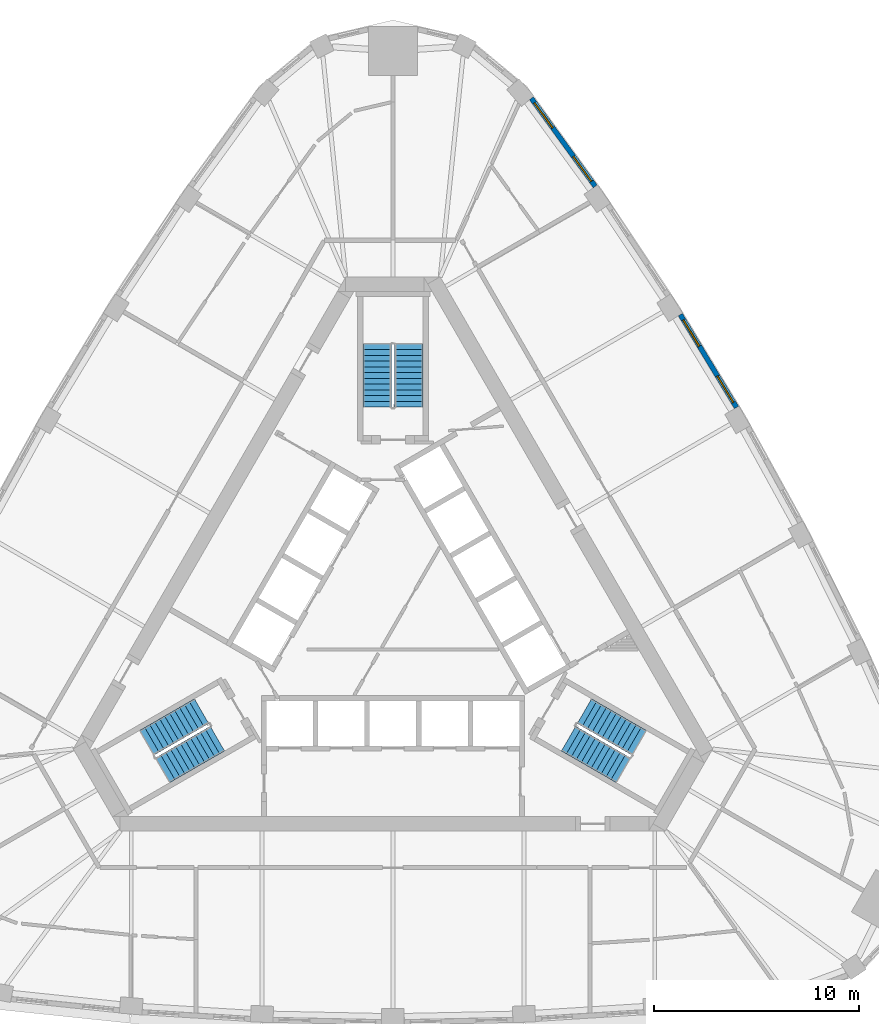
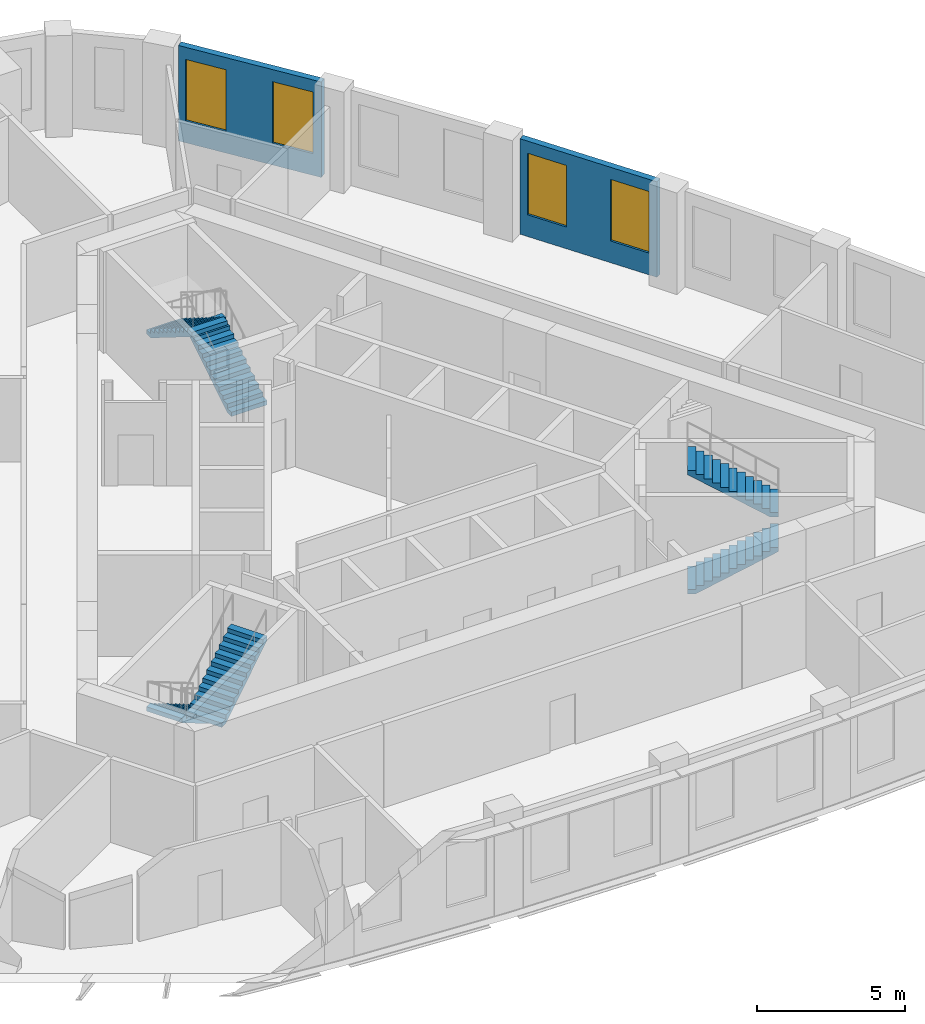
# One storey, part 9 of 10: 6 stair flights, 4 windows, 2 walls, 4 openings, 3 elements without a shape of their own.
"""IFC4 building model written with IfcOpenShell, lengths in metres."""

from ifc_helpers import new_model, si_unit, direction, frame, frame_2d, origin, place, context, subcontext, project, spatial, polyline, rectangle, outline, extrude, material, layer, layer_set, type_object, element, fill, aggregate, save


model = new_model("IFC4")

# Units and contexts
model_context = context("Model", 3, precision=1e-05, world=origin(), true_north=direction((0.0, 1.0)))
body_context = subcontext(model_context, "Body", "Model", "MODEL_VIEW")
ifc_project = project(units=[si_unit("LENGTHUNIT", "METRE"), si_unit("AREAUNIT", "SQUARE_METRE"), si_unit("VOLUMEUNIT", "CUBIC_METRE"), si_unit("PLANEANGLEUNIT", "RADIAN"), si_unit("MASSUNIT", "GRAM", prefix="KILO")], contexts=[model_context])

# Site, building, storey
site_placement = place(None, origin())
site = spatial("IfcSite", under=ifc_project, at=site_placement, CompositionType="ELEMENT")
building_placement = place(site_placement, origin())
building = spatial("IfcBuilding", under=site, at=building_placement, Name="Mestral Congress Tower", CompositionType="ELEMENT")
storey_placement = place(building_placement, frame((0.0, 0.0, 243.60009765625)))
storey = spatial("IfcBuildingStorey", under=building, at=storey_placement, Name="L57", CompositionType="ELEMENT", Elevation=243.60009765625)

# Wall, openings, windows
ifc_material_1 = material(Name="Precast concrete C40/50 with limestone facing", Category="masonry")
ifc_layer = layer(ifc_material_1, 0.239990234375)
ifc_layer_set = layer_set([ifc_layer], Name="Precast concrete C40/50 with limestone facing")
wall_type = type_object("IfcWallType", Name="Facade stone wall 240", PredefinedType="SOLIDWALL", material=ifc_layer_set)
wall_1_placement = place(storey_placement, frame((16.78173828125, 10.331298828125, 0.0), z_axis=(0.0, 0.0, 1.0), x_axis=(-0.517846166225, 0.855473756538, 0.0)))
wall_1 = element("IfcWall", 1, at=wall_1_placement, inside=storey, type_object=wall_type, Name="Facade wall F1-03", PredefinedType="SOLIDWALL", context=body_context, shape_type="SweptSolid", body=[
    extrude(rectangle(XDim=5.298095703125, YDim=0.239990234375, at=frame_2d((2.64892578125, 0.0))), origin(), (0.0, 0.0, 1.0), 3.949951171875),
])
opening_1_placement = place(wall_1_placement, frame((0.29443359375, 0.0, 0.89990234375)))
opening_1 = element("IfcOpeningElement", 2, at=opening_1_placement, cuts=wall_1, Name="Opening W4", PredefinedType="OPENING", context=body_context, shape_type="SweptSolid", body=[
    extrude(rectangle(XDim=1.5, YDim=2.550048828125, at=frame_2d((0.75, 1.27490234375))), frame((0.0, 0.1298828125, 0.0), z_axis=(0.0, -1.0, 0.0), x_axis=(1.0, 0.0, 0.0)), (0.0, 0.0, 1.0), 0.260009765625),
])
opening_2_placement = place(wall_1_placement, frame((3.503662109375, 0.0, 0.89990234375)))
opening_2 = element("IfcOpeningElement", 3, at=opening_2_placement, cuts=wall_1, Name="Opening W4", PredefinedType="OPENING", context=body_context, shape_type="SweptSolid", body=[
    extrude(rectangle(XDim=1.5, YDim=2.550048828125, at=frame_2d((0.75, 1.27490234375))), frame((0.0, 0.1298828125, 0.0), z_axis=(0.0, -1.0, 0.0), x_axis=(1.0, 0.0, 0.0)), (0.0, 0.0, 1.0), 0.260009765625),
])
ifc_material_2 = material(Name="Clear low-emissivity double glazing", Category="glass")
window_type = type_object("IfcWindowType", Name="Facade punched window 1500 x 2550 sill 900", PartitioningType="SINGLE_PANEL", PredefinedType="WINDOW", material=ifc_material_2)
window_1_placement = place(opening_1_placement, origin())
window_1 = element("IfcWindow", 4, at=window_1_placement, inside=storey, type_object=window_type, Name="Window F1-03a", OverallHeight=2.550048828125, OverallWidth=1.5, PartitioningType="SINGLE_PANEL", PredefinedType="WINDOW", context=body_context, shape_type="SweptSolid", body=[
    extrude(rectangle(XDim=1.5, YDim=2.550048828125, at=frame_2d((0.75, 1.27490234375))), frame((0.0, 0.0400390625, 0.0), z_axis=(0.0, -1.0, 0.0), x_axis=(1.0, 0.0, 0.0)), (0.0, 0.0, 1.0), 0.06005859375),
])
fill(opening_1, window_1)
window_2_placement = place(opening_2_placement, origin())
window_2 = element("IfcWindow", 5, at=window_2_placement, inside=storey, type_object=window_type, Name="Window F1-03b", OverallHeight=2.550048828125, OverallWidth=1.5, PartitioningType="SINGLE_PANEL", PredefinedType="WINDOW", context=body_context, shape_type="SweptSolid", body=[
    extrude(rectangle(XDim=1.5, YDim=2.550048828125, at=frame_2d((0.75, 1.27490234375))), frame((0.0, 0.0400390625, 0.0), z_axis=(0.0, -1.0, 0.0), x_axis=(1.0, 0.0, 0.0)), (0.0, 0.0, 1.0), 0.06005859375),
])
fill(opening_2, window_2)

wall_2_placement = place(storey_placement, frame((9.87841796875, 21.13232421875, 0.0), z_axis=(0.0, 0.0, 1.0), x_axis=(-0.586998456641, 0.80958805074, 0.0)))
wall_2 = element("IfcWall", 6, at=wall_2_placement, inside=storey, type_object=wall_type, Name="Facade wall F1-05", PredefinedType="SOLIDWALL", context=body_context, shape_type="SweptSolid", body=[
    extrude(rectangle(XDim=5.310791015625, YDim=0.239990234375, at=frame_2d((2.6552734375, 0.0))), origin(), (0.0, 0.0, 1.0), 3.949951171875),
])
opening_3_placement = place(wall_2_placement, frame((0.306396484375, 0.0, 0.89990234375)))
opening_3 = element("IfcOpeningElement", 7, at=opening_3_placement, cuts=wall_2, Name="Opening W4", PredefinedType="OPENING", context=body_context, shape_type="SweptSolid", body=[
    extrude(rectangle(XDim=1.5, YDim=2.550048828125, at=frame_2d((0.75, 1.27490234375))), frame((0.0, 0.1298828125, 0.0), z_axis=(0.0, -1.0, 0.0), x_axis=(1.0, 0.0, 0.0)), (0.0, 0.0, 1.0), 0.260009765625),
])
opening_4_placement = place(wall_2_placement, frame((3.539306640625, 0.0, 0.89990234375)))
opening_4 = element("IfcOpeningElement", 8, at=opening_4_placement, cuts=wall_2, Name="Opening W4", PredefinedType="OPENING", context=body_context, shape_type="SweptSolid", body=[
    extrude(rectangle(XDim=1.5, YDim=2.550048828125, at=frame_2d((0.75, 1.27490234375))), frame((0.0, 0.1298828125, 0.0), z_axis=(0.0, -1.0, 0.0), x_axis=(1.0, 0.0, 0.0)), (0.0, 0.0, 1.0), 0.260009765625),
])
window_3_placement = place(opening_3_placement, origin())
window_3 = element("IfcWindow", 9, at=window_3_placement, inside=storey, type_object=window_type, Name="Window F1-05a", OverallHeight=2.550048828125, OverallWidth=1.5, PartitioningType="SINGLE_PANEL", PredefinedType="WINDOW", context=body_context, shape_type="SweptSolid", body=[
    extrude(rectangle(XDim=1.5, YDim=2.550048828125, at=frame_2d((0.75, 1.27490234375))), frame((0.0, 0.0400390625, 0.0), z_axis=(0.0, -1.0, 0.0), x_axis=(1.0, 0.0, 0.0)), (0.0, 0.0, 1.0), 0.06005859375),
])
fill(opening_3, window_3)
window_4_placement = place(opening_4_placement, origin())
window_4 = element("IfcWindow", 10, at=window_4_placement, inside=storey, type_object=window_type, Name="Window F1-05b", OverallHeight=2.550048828125, OverallWidth=1.5, PartitioningType="SINGLE_PANEL", PredefinedType="WINDOW", context=body_context, shape_type="SweptSolid", body=[
    extrude(rectangle(XDim=1.5, YDim=2.550048828125, at=frame_2d((0.75, 1.27490234375))), frame((0.0, 0.0400390625, 0.0), z_axis=(0.0, -1.0, 0.0), x_axis=(1.0, 0.0, 0.0)), (0.0, 0.0, 1.0), 0.06005859375),
])
fill(opening_4, window_4)

# Stair, stair flights
ifc_material_3 = material(Name="Concrete C60/75", Category="concrete")
stair_type = type_object("IfcStairType", Name="Exit stair 1400", PredefinedType="HALF_TURN_STAIR", material=ifc_material_3)
placement = place(storey_placement, origin())
stair_1 = element("IfcStair", 11, at=placement, inside=storey, type_object=stair_type, Name="L57 ST1", PredefinedType="HALF_TURN_STAIR")
stair_flight_type = type_object("IfcStairFlightType", Name="Exit stair flight 1400", PredefinedType="STRAIGHT", material=ifc_material_3)
stair_flight_1_placement = place(storey_placement, frame((8.575927734375, -5.84619140625, 0.0), z_axis=(0.0, 0.0, 1.0), x_axis=(0.866025403784, -0.5, 0.0)))
stair_flight_1 = element("IfcStairFlight", 12, at=stair_flight_1_placement, type_object=stair_flight_type, Name="ST1 flight 1", NumberOfRisers=12, NumberOfTreads=11, PredefinedType="STRAIGHT", RiserHeight=0.175, TreadLength=0.28, context=body_context, shape_type="SweptSolid", body=[
    extrude(outline(polyline([(0.0, 0.0), (0.0, 0.175048828125), (0.280029296875, 0.175048828125), (0.280029296875, 0.35009765625), (0.56005859375, 0.35009765625), (0.56005859375, 0.52490234375), (0.840087890625, 0.52490234375), (0.840087890625, 0.699951171875), (1.1201171875, 0.699951171875), (1.1201171875, 0.875), (1.39990234375, 0.875), (1.39990234375, 1.050048828125), (1.679931640625, 1.050048828125), (1.679931640625, 1.22509765625), (1.9599609375, 1.22509765625), (1.9599609375, 1.39990234375), (2.239990234375, 1.39990234375), (2.239990234375, 1.574951171875), (2.52001953125, 1.574951171875), (2.52001953125, 1.75), (2.800048828125, 1.75), (2.800048828125, 1.925048828125), (3.080078125, 1.925048828125), (3.080078125, 2.10009765625), (3.080078125, 1.748291015625), (0.28271484375, 0.0), (0.0, 0.0)])), frame((0.0, 0.699951171875, 0.0), z_axis=(0.0, -1.0, 0.0), x_axis=(1.0, 0.0, 0.0)), (0.0, 0.0, 1.0), 1.39990234375),
])
stair_flight_2_placement = place(storey_placement, frame((12.018310546875, -6.0439453125, 2.099853515625), z_axis=(0.0, 0.0, 1.0), x_axis=(-0.866025403784, 0.5, 0.0)))
stair_flight_2 = element("IfcStairFlight", 13, at=stair_flight_2_placement, type_object=stair_flight_type, Name="ST1 flight 2", NumberOfRisers=12, NumberOfTreads=11, PredefinedType="STRAIGHT", RiserHeight=0.175, TreadLength=0.28, context=body_context, shape_type="SweptSolid", body=[
    extrude(outline(polyline([(0.0, 0.0), (0.0, 0.175048828125), (0.280029296875, 0.175048828125), (0.280029296875, 0.35009765625), (0.56005859375, 0.35009765625), (0.56005859375, 0.52490234375), (0.840087890625, 0.52490234375), (0.840087890625, 0.699951171875), (1.1201171875, 0.699951171875), (1.1201171875, 0.875), (1.39990234375, 0.875), (1.39990234375, 1.050048828125), (1.679931640625, 1.050048828125), (1.679931640625, 1.22509765625), (1.9599609375, 1.22509765625), (1.9599609375, 1.39990234375), (2.239990234375, 1.39990234375), (2.239990234375, 1.574951171875), (2.52001953125, 1.574951171875), (2.52001953125, 1.75), (2.800048828125, 1.75), (2.800048828125, 1.925048828125), (3.080078125, 1.925048828125), (3.080078125, 2.10009765625), (3.080078125, 1.748291015625), (0.28271484375, 0.0), (0.0, 0.0)])), frame((0.0, 0.699951171875, 0.0), z_axis=(0.0, -1.0, 0.0), x_axis=(1.0, 0.0, 0.0)), (0.0, 0.0, 1.0), 1.39990234375),
])
aggregate(stair_1, [stair_flight_1, stair_flight_2])

stair_2 = element("IfcStair", 14, at=placement, inside=storey, type_object=stair_type, Name="L57 ST2", PredefinedType="HALF_TURN_STAIR")
stair_flight_3_placement = place(storey_placement, frame((0.77490234375, 10.35009765625, 0.0), z_axis=(0.0, 0.0, 1.0), x_axis=(0.0, 1.0, 0.0)))
stair_flight_3 = element("IfcStairFlight", 15, at=stair_flight_3_placement, type_object=stair_flight_type, Name="ST2 flight 1", NumberOfRisers=12, NumberOfTreads=11, PredefinedType="STRAIGHT", RiserHeight=0.175, TreadLength=0.28, context=body_context, shape_type="SweptSolid", body=[
    extrude(outline(polyline([(0.0, 0.0), (0.0, 0.175048828125), (0.280029296875, 0.175048828125), (0.280029296875, 0.35009765625), (0.56005859375, 0.35009765625), (0.56005859375, 0.52490234375), (0.840087890625, 0.52490234375), (0.840087890625, 0.699951171875), (1.1201171875, 0.699951171875), (1.1201171875, 0.875), (1.39990234375, 0.875), (1.39990234375, 1.050048828125), (1.679931640625, 1.050048828125), (1.679931640625, 1.22509765625), (1.9599609375, 1.22509765625), (1.9599609375, 1.39990234375), (2.239990234375, 1.39990234375), (2.239990234375, 1.574951171875), (2.52001953125, 1.574951171875), (2.52001953125, 1.75), (2.800048828125, 1.75), (2.800048828125, 1.925048828125), (3.080078125, 1.925048828125), (3.080078125, 2.10009765625), (3.080078125, 1.748291015625), (0.28271484375, 0.0), (0.0, 0.0)])), frame((0.0, 0.699951171875, 0.0), z_axis=(0.0, -1.0, 0.0), x_axis=(1.0, 0.0, 0.0)), (0.0, 0.0, 1.0), 1.39990234375),
])
stair_flight_4_placement = place(storey_placement, frame((-0.77490234375, 13.429931640625, 2.099853515625), z_axis=(0.0, 0.0, 1.0), x_axis=(0.0, -1.0, 0.0)))
stair_flight_4 = element("IfcStairFlight", 16, at=stair_flight_4_placement, type_object=stair_flight_type, Name="ST2 flight 2", NumberOfRisers=12, NumberOfTreads=11, PredefinedType="STRAIGHT", RiserHeight=0.175, TreadLength=0.28, context=body_context, shape_type="SweptSolid", body=[
    extrude(outline(polyline([(0.0, 0.0), (0.0, 0.175048828125), (0.280029296875, 0.175048828125), (0.280029296875, 0.35009765625), (0.56005859375, 0.35009765625), (0.56005859375, 0.52490234375), (0.840087890625, 0.52490234375), (0.840087890625, 0.699951171875), (1.1201171875, 0.699951171875), (1.1201171875, 0.875), (1.39990234375, 0.875), (1.39990234375, 1.050048828125), (1.679931640625, 1.050048828125), (1.679931640625, 1.22509765625), (1.9599609375, 1.22509765625), (1.9599609375, 1.39990234375), (2.239990234375, 1.39990234375), (2.239990234375, 1.574951171875), (2.52001953125, 1.574951171875), (2.52001953125, 1.75), (2.800048828125, 1.75), (2.800048828125, 1.925048828125), (3.080078125, 1.925048828125), (3.080078125, 2.10009765625), (3.080078125, 1.748291015625), (0.28271484375, 0.0), (0.0, 0.0)])), frame((0.0, 0.699951171875, 0.0), z_axis=(0.0, -1.0, 0.0), x_axis=(1.0, 0.0, 0.0)), (0.0, 0.0, 1.0), 1.39990234375),
])
aggregate(stair_2, [stair_flight_3, stair_flight_4])

stair_3 = element("IfcStair", 17, at=placement, inside=storey, type_object=stair_type, Name="L57 ST3", PredefinedType="HALF_TURN_STAIR")
stair_flight_5_placement = place(storey_placement, frame((-9.350830078125, -4.50390625, 0.0), z_axis=(0.0, 0.0, 1.0), x_axis=(-0.866025403784, -0.5, 0.0)))
stair_flight_5 = element("IfcStairFlight", 18, at=stair_flight_5_placement, type_object=stair_flight_type, Name="ST3 flight 1", NumberOfRisers=12, NumberOfTreads=11, PredefinedType="STRAIGHT", RiserHeight=0.175, TreadLength=0.28, context=body_context, shape_type="SweptSolid", body=[
    extrude(outline(polyline([(0.0, 0.0), (0.0, 0.175048828125), (0.280029296875, 0.175048828125), (0.280029296875, 0.35009765625), (0.56005859375, 0.35009765625), (0.56005859375, 0.52490234375), (0.840087890625, 0.52490234375), (0.840087890625, 0.699951171875), (1.1201171875, 0.699951171875), (1.1201171875, 0.875), (1.39990234375, 0.875), (1.39990234375, 1.050048828125), (1.679931640625, 1.050048828125), (1.679931640625, 1.22509765625), (1.9599609375, 1.22509765625), (1.9599609375, 1.39990234375), (2.239990234375, 1.39990234375), (2.239990234375, 1.574951171875), (2.52001953125, 1.574951171875), (2.52001953125, 1.75), (2.800048828125, 1.75), (2.800048828125, 1.925048828125), (3.080078125, 1.925048828125), (3.080078125, 2.10009765625), (3.080078125, 1.748291015625), (0.28271484375, 0.0), (0.0, 0.0)])), frame((0.0, 0.699951171875, 0.0), z_axis=(0.0, -1.0, 0.0), x_axis=(1.0, 0.0, 0.0)), (0.0, 0.0, 1.0), 1.39990234375),
])
stair_flight_6_placement = place(storey_placement, frame((-11.2431640625, -7.38623046875, 2.099853515625), z_axis=(0.0, 0.0, 1.0), x_axis=(0.866025403784, 0.5, 0.0)))
stair_flight_6 = element("IfcStairFlight", 19, at=stair_flight_6_placement, type_object=stair_flight_type, Name="ST3 flight 2", NumberOfRisers=12, NumberOfTreads=11, PredefinedType="STRAIGHT", RiserHeight=0.175, TreadLength=0.28, context=body_context, shape_type="SweptSolid", body=[
    extrude(outline(polyline([(0.0, 0.0), (0.0, 0.175048828125), (0.280029296875, 0.175048828125), (0.280029296875, 0.35009765625), (0.56005859375, 0.35009765625), (0.56005859375, 0.52490234375), (0.840087890625, 0.52490234375), (0.840087890625, 0.699951171875), (1.1201171875, 0.699951171875), (1.1201171875, 0.875), (1.39990234375, 0.875), (1.39990234375, 1.050048828125), (1.679931640625, 1.050048828125), (1.679931640625, 1.22509765625), (1.9599609375, 1.22509765625), (1.9599609375, 1.39990234375), (2.239990234375, 1.39990234375), (2.239990234375, 1.574951171875), (2.52001953125, 1.574951171875), (2.52001953125, 1.75), (2.800048828125, 1.75), (2.800048828125, 1.925048828125), (3.080078125, 1.925048828125), (3.080078125, 2.10009765625), (3.080078125, 1.748291015625), (0.28271484375, 0.0), (0.0, 0.0)])), frame((0.0, 0.699951171875, 0.0), z_axis=(0.0, -1.0, 0.0), x_axis=(1.0, 0.0, 0.0)), (0.0, 0.0, 1.0), 1.39990234375),
])
aggregate(stair_3, [stair_flight_5, stair_flight_6])

save(model, "model.ifc")
